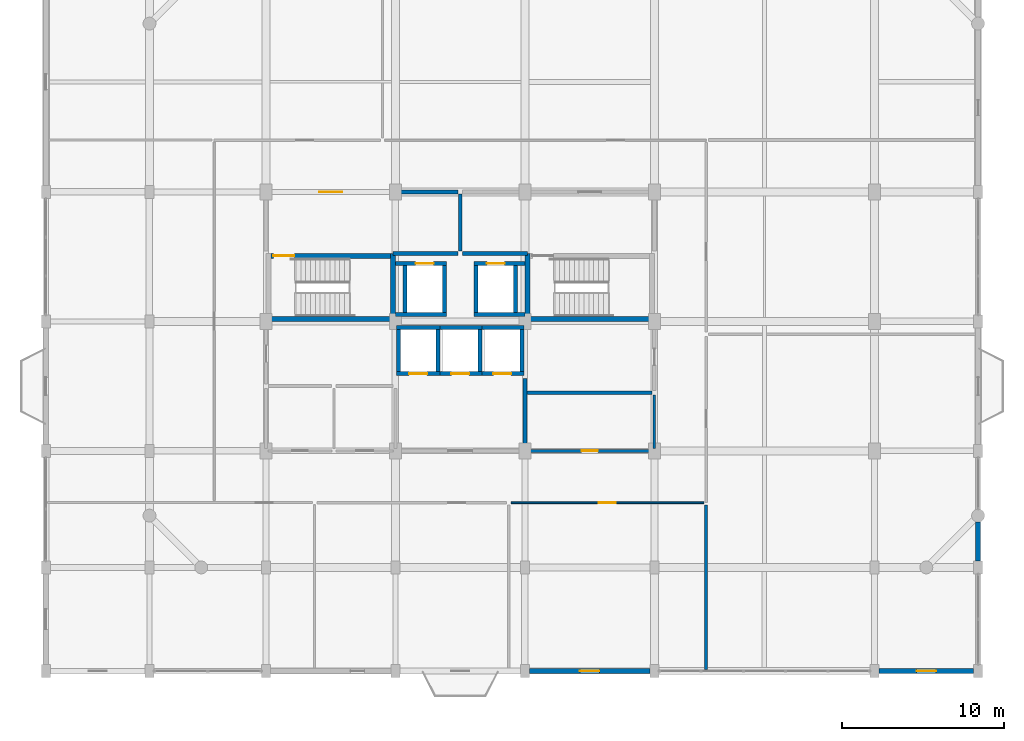
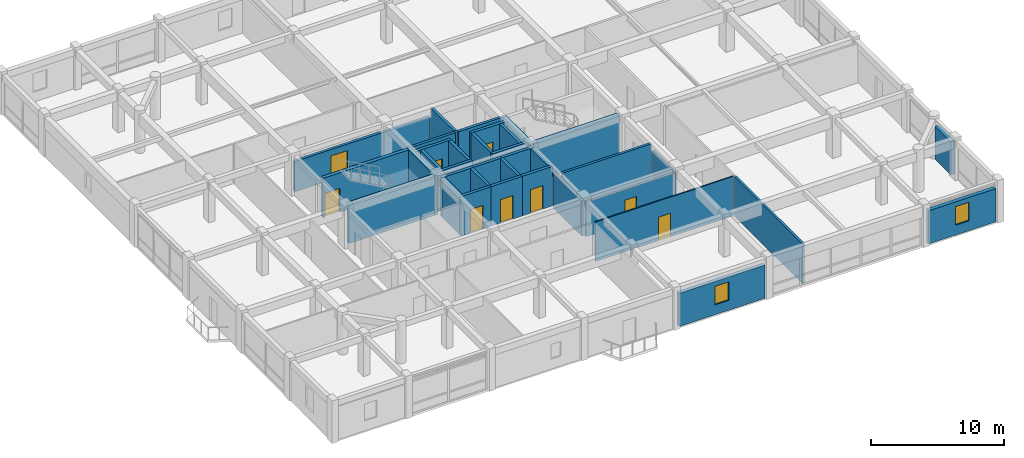
# One storey, part 12 of 15: 36 walls, 9 doors, 2 windows, 11 openings.
"""IFC4 building model written with IfcOpenShell, lengths in metres."""

from ifc_helpers import new_model, si_unit, direction, frame, frame_2d, origin, place, context, subcontext, project, spatial, rectangle, extrude, material, layer, layer_set, type_object, element, fill, save


model = new_model("IFC4")

# Units and contexts
model_context = context("Model", 3, precision=1e-05, world=origin(), true_north=direction((0.0, 1.0)))
body_context = subcontext(model_context, "Body", "Model", "MODEL_VIEW")
ifc_project = project(units=[si_unit("LENGTHUNIT", "METRE"), si_unit("AREAUNIT", "SQUARE_METRE"), si_unit("VOLUMEUNIT", "CUBIC_METRE"), si_unit("PLANEANGLEUNIT", "RADIAN"), si_unit("MASSUNIT", "GRAM", prefix="KILO")], contexts=[model_context])

# Site, building, storey
site_placement = place(None, origin())
site = spatial("IfcSite", under=ifc_project, at=site_placement, CompositionType="ELEMENT")
building_placement = place(site_placement, origin())
building = spatial("IfcBuilding", under=site, at=building_placement, Name="Vellmiral Cinema and Media Centre", CompositionType="ELEMENT")
storey_placement = place(building_placement, frame((0.0, 0.0, 31.699951171875)))
storey = spatial("IfcBuildingStorey", under=building, at=storey_placement, Name="L07", CompositionType="ELEMENT", Elevation=31.699951171875)

# Walls
ifc_material_1 = material(Name="Concrete C40/50", Category="concrete")
ifc_layer_1 = layer(ifc_material_1, 0.2099609375, Name="Concrete C40/50")
ifc_layer_set_1 = layer_set([ifc_layer_1], Name="Concrete C40/50")
wall_type_1 = type_object("IfcWallType", Name="WL-COMP-210", PredefinedType="SOLIDWALL", material=ifc_layer_set_1)
wall_1_placement = place(storey_placement, frame((140.139892578125, 82.800048828125, 0.0), z_axis=(0.0, 0.0, 1.0), x_axis=(1.0, 0.0, 0.0)))
element("IfcWall", 1, at=wall_1_placement, inside=storey, type_object=wall_type_1, Name="Data Patch and Riser Room Wall S", PredefinedType="SOLIDWALL", context=body_context, shape_type="SweptSolid", body=[
    extrude(rectangle(XDim=7.72021484375, YDim=0.2099609375, at=frame_2d((3.860107421875, 0.0))), origin(), (0.0, 0.0, 1.0), 3.6201171875),
])
ifc_material_2 = material(Name="Concrete C40/50", Category="concrete")
ifc_layer_2 = layer(ifc_material_2, 0.300048828125, Name="Concrete C40/50")
ifc_layer_set_2 = layer_set([ifc_layer_2], Name="Concrete C40/50")
wall_type_2 = type_object("IfcWallType", Name="WL-CORE-300", PredefinedType="SHEAR", material=ifc_layer_set_2)
wall_2_placement = place(storey_placement, frame((131.85009765625, 87.199951171875, 0.0), z_axis=(0.0, 0.0, 1.0), x_axis=(0.0, 1.0, 0.0)))
element("IfcWall", 2, at=wall_2_placement, inside=storey, type_object=wall_type_2, Name="Stair Core Wall ST-T1 L07-E", PredefinedType="SHEAR", context=body_context, shape_type="SweptSolid", body=[
    extrude(rectangle(XDim=4.199951171875, YDim=0.300048828125, at=frame_2d((2.10009765625, 0.0))), origin(), (0.0, 0.0, 1.0), 3.6201171875),
])
wall_3_placement = place(storey_placement, frame((124.300048828125, 87.35009765625, 0.0), z_axis=(0.0, 0.0, 1.0), x_axis=(1.0, 0.0, 0.0)))
element("IfcWall", 3, at=wall_3_placement, inside=storey, type_object=wall_type_2, Name="Stair Core Wall ST-T1 L07-S", PredefinedType="SHEAR", context=body_context, shape_type="SweptSolid", body=[
    extrude(rectangle(XDim=7.39990234375, YDim=0.300048828125, at=frame_2d((3.699951171875, 0.0))), origin(), (0.0, 0.0, 1.0), 3.6201171875),
])

# Wall, opening, door
wall_4_placement = place(storey_placement, frame((124.300048828125, 91.25, 0.0), z_axis=(0.0, 0.0, 1.0), x_axis=(1.0, 0.0, 0.0)))
wall_4 = element("IfcWall", 4, at=wall_4_placement, inside=storey, type_object=wall_type_2, Name="Stair Core Wall ST-T1 L07-N", PredefinedType="SHEAR", context=body_context, shape_type="SweptSolid", body=[
    extrude(rectangle(XDim=7.39990234375, YDim=0.300048828125, at=frame_2d((3.699951171875, 0.0))), origin(), (0.0, 0.0, 1.0), 3.6201171875),
])
opening_1_placement = place(wall_4_placement, frame((0.159912109375, 0.0, 0.0)))
opening_1 = element("IfcOpeningElement", 5, at=opening_1_placement, cuts=wall_4, Name="Opening D-FD30A", PredefinedType="OPENING", context=body_context, shape_type="SweptSolid", body=[
    extrude(rectangle(XDim=1.300048828125, YDim=2.179931640625, at=frame_2d((0.64990234375, 1.08984375))), frame((0.0, 0.162109375, 0.0), z_axis=(0.0, -1.0, 0.0), x_axis=(1.0, 0.0, 0.0)), (0.0, 0.0, 1.0), 0.323974609375),
])
ifc_material_3 = material(Name="Steel Stair Fire Door", Category="steel")
door_type_1 = type_object("IfcDoorType", Name="DR-FD30-1300x2180", OperationType="NOTDEFINED", PredefinedType="DOOR", material=ifc_material_3)
door_1_placement = place(opening_1_placement, frame((1.300048828125, 0.0, 0.0), z_axis=(0.0, 0.0, 1.0), x_axis=(-1.0, 0.0, 0.0)))
door_1 = element("IfcDoor", 6, at=door_1_placement, inside=storey, type_object=door_type_1, Name="Protected Stair Door ST-T1 L07", OperationType="SINGLE_SWING_RIGHT", OverallHeight=2.179931640625, OverallWidth=1.300048828125, PredefinedType="DOOR", context=body_context, shape_type="SweptSolid", body=[
    extrude(rectangle(XDim=1.300048828125, YDim=2.179931640625, at=frame_2d((0.64990234375, 1.08984375))), frame((0.0, 0.02490234375, 0.0), z_axis=(0.0, -1.0, 0.0), x_axis=(1.0, 0.0, 0.0)), (0.0, 0.0, 1.0), 0.050048828125),
])
fill(opening_1, door_1)

# Walls
wall_5_placement = place(storey_placement, frame((140.14990234375, 87.199951171875, 0.0), z_axis=(0.0, 0.0, 1.0), x_axis=(0.0, 1.0, 0.0)))
element("IfcWall", 7, at=wall_5_placement, inside=storey, type_object=wall_type_2, Name="Stair Core Wall ST-T2 L07-W", PredefinedType="SHEAR", context=body_context, shape_type="SweptSolid", body=[
    extrude(rectangle(XDim=4.199951171875, YDim=0.300048828125, at=frame_2d((2.10009765625, 0.0))), origin(), (0.0, 0.0, 1.0), 3.6201171875),
])
wall_6_placement = place(storey_placement, frame((140.300048828125, 87.35009765625, 0.0), z_axis=(0.0, 0.0, 1.0), x_axis=(1.0, 0.0, 0.0)))
element("IfcWall", 8, at=wall_6_placement, inside=storey, type_object=wall_type_2, Name="Stair Core Wall ST-T2 L07-S", PredefinedType="SHEAR", context=body_context, shape_type="SweptSolid", body=[
    extrude(rectangle(XDim=7.39990234375, YDim=0.300048828125, at=frame_2d((3.699951171875, 0.0))), origin(), (0.0, 0.0, 1.0), 3.6201171875),
])

# Wall, opening, window
ifc_material_4 = material(Name="Polychrome Glazed Ceramic Cladding", Category="masonry")
ifc_layer_3 = layer(ifc_material_4, 0.320068359375, Name="Polychrome Glazed Ceramic Cladding")
ifc_layer_set_3 = layer_set([ifc_layer_3], Name="Polychrome Glazed Ceramic Cladding")
wall_type_3 = type_object("IfcWallType", Name="WL-EXT-BRICK-320", PredefinedType="SOLIDWALL", material=ifc_layer_set_3)
wall_7_placement = place(storey_placement, frame((140.27490234375, 65.60009765625, 0.0), z_axis=(0.0, 0.0, 1.0), x_axis=(1.0, 0.0, 0.0)))
wall_7 = element("IfcWall", 9, at=wall_7_placement, inside=storey, type_object=wall_type_3, Name="Exterior Facade Wall L07-005", PredefinedType="SOLIDWALL", context=body_context, shape_type="SweptSolid", body=[
    extrude(rectangle(XDim=7.4501953125, YDim=0.320068359375, at=frame_2d((3.72509765625, 0.0))), origin(), (0.0, 0.0, 1.0), 3.0400390625),
])
opening_2_placement = place(wall_7_placement, frame((3.125, 0.0, 0.89990234375)))
opening_2 = element("IfcOpeningElement", 10, at=opening_2_placement, cuts=wall_7, Name="Opening WN-10", PredefinedType="OPENING", context=body_context, shape_type="SweptSolid", body=[
    extrude(rectangle(XDim=1.199951171875, YDim=1.699951171875, at=frame_2d((0.60009765625, 0.85009765625))), frame((0.0, 0.171875, 0.0), z_axis=(0.0, -1.0, 0.0), x_axis=(1.0, 0.0, 0.0)), (0.0, 0.0, 1.0), 0.343994140625),
])
ifc_material_5 = material(Name="Thermally Broken Aluminium Triple Glazing", Category="aluminium")
window_type = type_object("IfcWindowType", Name="WN-1200x1700", PartitioningType="SINGLE_PANEL", PredefinedType="WINDOW", material=ifc_material_5)
window_1_placement = place(opening_2_placement, origin())
window_1 = element("IfcWindow", 11, at=window_1_placement, inside=storey, type_object=window_type, Name="Window L07-005", OverallHeight=1.699951171875, OverallWidth=1.199951171875, PartitioningType="SINGLE_PANEL", PredefinedType="WINDOW", context=body_context, shape_type="SweptSolid", body=[
    extrude(rectangle(XDim=1.199951171875, YDim=1.699951171875, at=frame_2d((0.60009765625, 0.85009765625))), frame((0.0, 0.030029296875, 0.0), z_axis=(0.0, -1.0, 0.0), x_axis=(1.0, 0.0, 0.0)), (0.0, 0.0, 1.0), 0.06005859375),
])
fill(opening_2, window_1)

wall_8_placement = place(storey_placement, frame((161.875, 65.60009765625, 0.0), z_axis=(0.0, 0.0, 1.0), x_axis=(1.0, 0.0, 0.0)))
wall_8 = element("IfcWall", 12, at=wall_8_placement, inside=storey, type_object=wall_type_3, Name="Exterior Facade Wall L07-007", PredefinedType="SOLIDWALL", context=body_context, shape_type="SweptSolid", body=[
    extrude(rectangle(XDim=5.85009765625, YDim=0.320068359375, at=frame_2d((2.925048828125, 0.0))), origin(), (0.0, 0.0, 1.0), 3.0400390625),
])
opening_3_placement = place(wall_8_placement, frame((2.324951171875, 0.0, 0.89990234375)))
opening_3 = element("IfcOpeningElement", 13, at=opening_3_placement, cuts=wall_8, Name="Opening WN-10", PredefinedType="OPENING", context=body_context, shape_type="SweptSolid", body=[
    extrude(rectangle(XDim=1.199951171875, YDim=1.699951171875, at=frame_2d((0.60009765625, 0.85009765625))), frame((0.0, 0.171875, 0.0), z_axis=(0.0, -1.0, 0.0), x_axis=(1.0, 0.0, 0.0)), (0.0, 0.0, 1.0), 0.343994140625),
])
window_2_placement = place(opening_3_placement, origin())
window_2 = element("IfcWindow", 14, at=window_2_placement, inside=storey, type_object=window_type, Name="Window L07-007", OverallHeight=1.699951171875, OverallWidth=1.199951171875, PartitioningType="SINGLE_PANEL", PredefinedType="WINDOW", context=body_context, shape_type="SweptSolid", body=[
    extrude(rectangle(XDim=1.199951171875, YDim=1.699951171875, at=frame_2d((0.60009765625, 0.85009765625))), frame((0.0, 0.030029296875, 0.0), z_axis=(0.0, -1.0, 0.0), x_axis=(1.0, 0.0, 0.0)), (0.0, 0.0, 1.0), 0.06005859375),
])
fill(opening_3, window_2)

# Walls
wall_9_placement = place(storey_placement, frame((168.0, 72.39990234375, 0.0), z_axis=(0.0, 0.0, 1.0), x_axis=(0.0, 1.0, 0.0)))
element("IfcWall", 15, at=wall_9_placement, inside=storey, type_object=wall_type_3, Name="Exterior Facade Wall L07-009", PredefinedType="SOLIDWALL", context=body_context, shape_type="SweptSolid", body=[
    extrude(rectangle(XDim=2.400146484375, YDim=0.320068359375, at=frame_2d((1.2001953125, 0.0))), origin(), (0.0, 0.0, 1.0), 3.0400390625),
])
ifc_material_6 = material(Name="Concrete C40/50", Category="concrete")
ifc_layer_4 = layer(ifc_material_6, 0.22998046875, Name="Concrete C40/50")
ifc_layer_set_4 = layer_set([ifc_layer_4], Name="Concrete C40/50")
wall_type_4 = type_object("IfcWallType", Name="WL-FFL-230", PredefinedType="SOLIDWALL", material=ifc_layer_set_4)
wall_10_placement = place(storey_placement, frame((131.840087890625, 91.39990234375, 0.0), z_axis=(0.0, 0.0, 1.0), x_axis=(1.0, 0.0, 0.0)))
element("IfcWall", 16, at=wall_10_placement, inside=storey, type_object=wall_type_4, Name="Firefighting Lobby West Wall S", PredefinedType="SOLIDWALL", context=body_context, shape_type="SweptSolid", body=[
    extrude(rectangle(XDim=4.02001953125, YDim=0.22998046875, at=frame_2d((2.010009765625, 0.0))), origin(), (0.0, 0.0, 1.0), 3.6201171875),
])

# Wall, opening, door
wall_11_placement = place(storey_placement, frame((124.139892578125, 95.199951171875, 0.0), z_axis=(0.0, 0.0, 1.0), x_axis=(1.0, 0.0, 0.0)))
wall_11 = element("IfcWall", 17, at=wall_11_placement, inside=storey, type_object=wall_type_4, Name="Firefighting Lobby West Wall N", PredefinedType="SOLIDWALL", context=body_context, shape_type="SweptSolid", body=[
    extrude(rectangle(XDim=11.72021484375, YDim=0.22998046875, at=frame_2d((5.860107421875, 0.0))), origin(), (0.0, 0.0, 1.0), 2.78515625),
])
opening_4_placement = place(wall_11_placement, frame((3.159912109375, 0.0, 0.0)))
opening_4 = element("IfcOpeningElement", 18, at=opening_4_placement, cuts=wall_11, Name="Opening D-FD60B", PredefinedType="OPENING", context=body_context, shape_type="SweptSolid", body=[
    extrude(rectangle(XDim=1.39990234375, YDim=2.199951171875, at=frame_2d((0.699951171875, 1.10009765625))), frame((0.0, 0.126953125, 0.0), z_axis=(0.0, -1.0, 0.0), x_axis=(1.0, 0.0, 0.0)), (0.0, 0.0, 1.0), 0.25390625),
])
ifc_material_7 = material(Name="Steel Fire Door", Category="steel")
door_type_2 = type_object("IfcDoorType", Name="DR-FD60-1400x2200", OperationType="NOTDEFINED", PredefinedType="DOOR", material=ifc_material_7)
door_2_placement = place(opening_4_placement, frame((1.39990234375, 0.0, 0.0), z_axis=(0.0, 0.0, 1.0), x_axis=(-1.0, 0.0, 0.0)))
door_2 = element("IfcDoor", 19, at=door_2_placement, inside=storey, type_object=door_type_2, Name="Firefighting Lobby West Door", OperationType="SINGLE_SWING_RIGHT", OverallHeight=2.199951171875, OverallWidth=1.39990234375, PredefinedType="DOOR", context=body_context, shape_type="SweptSolid", body=[
    extrude(rectangle(XDim=1.39990234375, YDim=2.199951171875, at=frame_2d((0.699951171875, 1.10009765625))), frame((0.0, 0.02490234375, 0.0), z_axis=(0.0, -1.0, 0.0), x_axis=(1.0, 0.0, 0.0)), (0.0, 0.0, 1.0), 0.050048828125),
])
fill(opening_4, door_2)

# Walls
wall_12_placement = place(storey_placement, frame((136.0, 91.5400390625, 0.0), z_axis=(0.0, 0.0, 1.0), x_axis=(0.0, 1.0, 0.0)))
element("IfcWall", 20, at=wall_12_placement, inside=storey, type_object=wall_type_4, Name="Firefighting Lobby West Wall E", PredefinedType="SOLIDWALL", context=body_context, shape_type="SweptSolid", body=[
    extrude(rectangle(XDim=3.52001953125, YDim=0.22998046875, at=frame_2d((1.760009765625, 0.0))), origin(), (0.0, 0.0, 1.0), 3.6201171875),
])
wall_13_placement = place(storey_placement, frame((136.139892578125, 91.39990234375, 0.0), z_axis=(0.0, 0.0, 1.0), x_axis=(1.0, 0.0, 0.0)))
element("IfcWall", 21, at=wall_13_placement, inside=storey, type_object=wall_type_4, Name="Firefighting Lobby East Wall S", PredefinedType="SOLIDWALL", context=body_context, shape_type="SweptSolid", body=[
    extrude(rectangle(XDim=4.02001953125, YDim=0.22998046875, at=frame_2d((2.010009765625, 0.0))), origin(), (0.0, 0.0, 1.0), 3.6201171875),
])
wall_14_placement = place(storey_placement, frame((140.0, 79.340087890625, 0.0), z_axis=(0.0, 0.0, 1.0), x_axis=(0.0, 1.0, 0.0)))
element("IfcWall", 22, at=wall_14_placement, inside=storey, type_object=wall_type_4, Name="Tower Passenger Lift Lobby Wall E", PredefinedType="SOLIDWALL", context=body_context, shape_type="SweptSolid", body=[
    extrude(rectangle(XDim=4.31982421875, YDim=0.22998046875, at=frame_2d((2.159912109375, 0.0))), origin(), (0.0, 0.0, 1.0), 3.18505859375),
])

# Wall, opening, door
ifc_material_8 = material(Name="Gypsum Plasterboard")
ifc_layer_5 = layer(ifc_material_8, 0.02490234375, Name="Gypsum Plasterboard", Category="gypsum")
ifc_material_9 = material(Name="Mineral Wool Acoustic Insulation", Category="insulation")
ifc_layer_6 = layer(ifc_material_9, 0.06005859375, Name="Mineral Wool Acoustic Insulation", Category="insulation")
ifc_layer_7 = layer(ifc_material_8, 0.02490234375, Name="Gypsum Plasterboard", Category="gypsum")
ifc_layer_set_5 = layer_set([ifc_layer_5, ifc_layer_6, ifc_layer_7], Name="Gypsum Plasterboard")
wall_type_5 = type_object("IfcWallType", Name="WL-PART-110", PredefinedType="PARTITIONING", material=ifc_layer_set_5)
wall_15_placement = place(storey_placement, frame((139.139892578125, 76.0, 0.0), z_axis=(0.0, 0.0, 1.0), x_axis=(1.0, 0.0, 0.0)))
wall_15 = element("IfcWall", 23, at=wall_15_placement, inside=storey, type_object=wall_type_5, Name="VFX Review Boardroom Wall N", PredefinedType="PARTITIONING", context=body_context, shape_type="SweptSolid", body=[
    extrude(rectangle(XDim=11.920166015625, YDim=0.110107421875, at=frame_2d((5.9599609375, 0.0))), origin(), (0.0, 0.0, 1.0), 3.6201171875),
])
opening_5_placement = place(wall_15_placement, frame((5.43505859375, 0.0, 0.0)))
opening_5 = element("IfcOpeningElement", 24, at=opening_5_placement, cuts=wall_15, Name="Opening D-I07", PredefinedType="OPENING", context=body_context, shape_type="SweptSolid", body=[
    extrude(rectangle(XDim=1.050048828125, YDim=2.14990234375, at=frame_2d((0.52490234375, 1.074951171875))), frame((0.0, 0.06689453125, 0.0), z_axis=(0.0, -1.0, 0.0), x_axis=(1.0, 0.0, 0.0)), (0.0, 0.0, 1.0), 0.134033203125),
])
ifc_material_10 = material(Name="Laminated Timber Door", Category="wood")
door_type_3 = type_object("IfcDoorType", Name="DR-INT-1050x2150", OperationType="NOTDEFINED", PredefinedType="DOOR", material=ifc_material_10)
door_3_placement = place(opening_5_placement, frame((1.050048828125, 0.0, 0.0), z_axis=(0.0, 0.0, 1.0), x_axis=(-1.0, 0.0, 0.0)))
door_3 = element("IfcDoor", 25, at=door_3_placement, inside=storey, type_object=door_type_3, Name="VFX Review Boardroom Door", OperationType="SINGLE_SWING_LEFT", OverallHeight=2.14990234375, OverallWidth=1.050048828125, PredefinedType="DOOR", context=body_context, shape_type="SweptSolid", body=[
    extrude(rectangle(XDim=1.050048828125, YDim=2.14990234375, at=frame_2d((0.52490234375, 1.074951171875))), frame((0.0, 0.02490234375, 0.0), z_axis=(0.0, -1.0, 0.0), x_axis=(1.0, 0.0, 0.0)), (0.0, 0.0, 1.0), 0.050048828125),
])
fill(opening_5, door_3)

# Wall
ifc_material_11 = material(Name="Gypsum Plasterboard")
ifc_layer_8 = layer(ifc_material_11, 0.02490234375, Name="Gypsum Plasterboard", Category="gypsum")
ifc_material_12 = material(Name="Mineral Wool Acoustic Insulation", Category="insulation")
ifc_layer_9 = layer(ifc_material_12, 0.10009765625, Name="Mineral Wool Acoustic Insulation", Category="insulation")
ifc_layer_10 = layer(ifc_material_11, 0.02490234375, Name="Gypsum Plasterboard", Category="gypsum")
ifc_layer_set_6 = layer_set([ifc_layer_8, ifc_layer_9, ifc_layer_10], Name="Gypsum Plasterboard")
wall_type_6 = type_object("IfcWallType", Name="WL-PART-150", PredefinedType="PARTITIONING", material=ifc_layer_set_6)
wall_16_placement = place(storey_placement, frame((148.0, 79.340087890625, 0.0), z_axis=(0.0, 0.0, 1.0), x_axis=(0.0, 1.0, 0.0)))
element("IfcWall", 26, at=wall_16_placement, inside=storey, type_object=wall_type_6, Name="Print and Archive Copy Room Wall E", PredefinedType="PARTITIONING", context=body_context, shape_type="SweptSolid", body=[
    extrude(rectangle(XDim=3.31982421875, YDim=0.14990234375, at=frame_2d((1.659912109375, 0.0))), origin(), (0.0, 0.0, 1.0), 3.03515625),
])

# Wall, opening, door
ifc_material_13 = material(Name="Gypsum Plasterboard")
ifc_layer_11 = layer(ifc_material_13, 0.02490234375, Name="Gypsum Plasterboard", Category="gypsum")
ifc_material_14 = material(Name="Mineral Wool Acoustic Insulation", Category="insulation")
ifc_layer_12 = layer(ifc_material_14, 0.1201171875, Name="Mineral Wool Acoustic Insulation", Category="insulation")
ifc_layer_13 = layer(ifc_material_13, 0.02490234375, Name="Gypsum Plasterboard", Category="gypsum")
ifc_layer_set_7 = layer_set([ifc_layer_11, ifc_layer_12, ifc_layer_13], Name="Gypsum Plasterboard")
wall_type_7 = type_object("IfcWallType", Name="WL-PART-170", PredefinedType="PARTITIONING", material=ifc_layer_set_7)
wall_17_placement = place(storey_placement, frame((140.139892578125, 79.199951171875, 0.0), z_axis=(0.0, 0.0, 1.0), x_axis=(1.0, 0.0, 0.0)))
wall_17 = element("IfcWall", 27, at=wall_17_placement, inside=storey, type_object=wall_type_7, Name="Print and Archive Copy Room Wall S", PredefinedType="PARTITIONING", context=body_context, shape_type="SweptSolid", body=[
    extrude(rectangle(XDim=7.72021484375, YDim=0.169921875, at=frame_2d((3.860107421875, 0.0))), origin(), (0.0, 0.0, 1.0), 3.135009765625),
])
opening_6_placement = place(wall_17_placement, frame((3.360107421875, 0.0, 0.0)))
opening_6 = element("IfcOpeningElement", 28, at=opening_6_placement, cuts=wall_17, Name="Opening D-I08", PredefinedType="OPENING", context=body_context, shape_type="SweptSolid", body=[
    extrude(rectangle(XDim=1.0, YDim=2.14990234375, at=frame_2d((0.5, 1.074951171875))), frame((0.0, 0.096923828125, 0.0), z_axis=(0.0, -1.0, 0.0), x_axis=(1.0, 0.0, 0.0)), (0.0, 0.0, 1.0), 0.19384765625),
])
ifc_material_15 = material(Name="Laminated Timber Door", Category="wood")
door_type_4 = type_object("IfcDoorType", Name="DR-INT-1000x2150", OperationType="NOTDEFINED", PredefinedType="DOOR", material=ifc_material_15)
door_4_placement = place(opening_6_placement, origin())
door_4 = element("IfcDoor", 29, at=door_4_placement, inside=storey, type_object=door_type_4, Name="Print and Archive Copy Room Door", OperationType="SINGLE_SWING_RIGHT", OverallHeight=2.14990234375, OverallWidth=1.0, PredefinedType="DOOR", context=body_context, shape_type="SweptSolid", body=[
    extrude(rectangle(XDim=1.0, YDim=2.14990234375, at=frame_2d((0.5, 1.074951171875))), frame((0.0, 0.02490234375, 0.0), z_axis=(0.0, -1.0, 0.0), x_axis=(1.0, 0.0, 0.0)), (0.0, 0.0, 1.0), 0.050048828125),
])
fill(opening_6, door_4)

# Walls
ifc_material_16 = material(Name="Gypsum Plasterboard")
ifc_layer_14 = layer(ifc_material_16, 0.02490234375, Name="Gypsum Plasterboard", Category="gypsum")
ifc_material_17 = material(Name="Mineral Wool Acoustic Insulation", Category="insulation")
ifc_layer_15 = layer(ifc_material_17, 0.139892578125, Name="Mineral Wool Acoustic Insulation", Category="insulation")
ifc_layer_16 = layer(ifc_material_16, 0.02490234375, Name="Gypsum Plasterboard", Category="gypsum")
ifc_layer_set_8 = layer_set([ifc_layer_14, ifc_layer_15, ifc_layer_16], Name="Gypsum Plasterboard")
wall_type_8 = type_object("IfcWallType", Name="WL-PART-190", PredefinedType="PARTITIONING", material=ifc_layer_set_8)
wall_18_placement = place(storey_placement, frame((151.199951171875, 65.695068359375, 0.0), z_axis=(0.0, 0.0, 1.0), x_axis=(0.0, 1.0, 0.0)))
element("IfcWall", 30, at=wall_18_placement, inside=storey, type_object=wall_type_8, Name="VFX Review Boardroom Wall E", PredefinedType="PARTITIONING", context=body_context, shape_type="SweptSolid", body=[
    extrude(rectangle(XDim=10.1650390625, YDim=0.18994140625, at=frame_2d((5.08251953125, 0.0))), origin(), (0.0, 0.0, 1.0), 3.6201171875),
])
ifc_material_18 = material(Name="Concrete C40/50", Category="concrete")
ifc_layer_17 = layer(ifc_material_18, 0.25, Name="Concrete C40/50")
ifc_layer_set_9 = layer_set([ifc_layer_17], Name="Concrete C40/50")
wall_type_9 = type_object("IfcWallType", Name="WL-SHAFT-250", PredefinedType="SHEAR", material=ifc_layer_set_9)
wall_19_placement = place(storey_placement, frame((132.0, 87.625, 0.0), z_axis=(0.0, 0.0, 1.0), x_axis=(1.0, 0.0, 0.0)))
element("IfcWall", 31, at=wall_19_placement, inside=storey, type_object=wall_type_9, Name="Lift Shaft Wall LF-FF1 L07-S", PredefinedType="SHEAR", context=body_context, shape_type="SweptSolid", body=[
    extrude(rectangle(XDim=3.14990234375, YDim=0.25, at=frame_2d((1.574951171875, 0.0))), origin(), (0.0, 0.0, 1.0), 3.6201171875),
])

# Wall, opening, door
wall_20_placement = place(storey_placement, frame((132.0, 90.77490234375, 0.0), z_axis=(0.0, 0.0, 1.0), x_axis=(1.0, 0.0, 0.0)))
wall_20 = element("IfcWall", 32, at=wall_20_placement, inside=storey, type_object=wall_type_9, Name="Lift Shaft Wall LF-FF1 L07-N", PredefinedType="SHEAR", context=body_context, shape_type="SweptSolid", body=[
    extrude(rectangle(XDim=3.14990234375, YDim=0.25, at=frame_2d((1.574951171875, 0.0))), origin(), (0.0, 0.0, 1.0), 3.6201171875),
])
opening_7_placement = place(wall_20_placement, frame((1.25, 0.0, 0.0)))
opening_7 = element("IfcOpeningElement", 33, at=opening_7_placement, cuts=wall_20, Name="Opening LD-01", PredefinedType="OPENING", context=body_context, shape_type="SweptSolid", body=[
    extrude(rectangle(XDim=1.10009765625, YDim=2.14990234375, at=frame_2d((0.550048828125, 1.074951171875))), frame((0.0, 0.136962890625, 0.0), z_axis=(0.0, -1.0, 0.0), x_axis=(1.0, 0.0, 0.0)), (0.0, 0.0, 1.0), 0.27392578125),
])
ifc_material_19 = material(Name="Stainless Steel Lift Landing Door", Category="steel")
door_type_5 = type_object("IfcDoorType", Name="DR-LIFT-1100x2150", OperationType="SLIDING_TO_LEFT", PredefinedType="DOOR", material=ifc_material_19)
door_5_placement = place(opening_7_placement, origin())
door_5 = element("IfcDoor", 34, at=door_5_placement, inside=storey, type_object=door_type_5, Name="Lift Landing Door LF-FF1 L07", OperationType="SLIDING_TO_LEFT", OverallHeight=2.14990234375, OverallWidth=1.10009765625, PredefinedType="DOOR", context=body_context, shape_type="SweptSolid", body=[
    extrude(rectangle(XDim=1.10009765625, YDim=2.14990234375, at=frame_2d((0.550048828125, 1.074951171875))), frame((0.0, 0.02490234375, 0.0), z_axis=(0.0, -1.0, 0.0), x_axis=(1.0, 0.0, 0.0)), (0.0, 0.0, 1.0), 0.050048828125),
])
fill(opening_7, door_5)

# Walls
for number, where, z_axis, x_axis, name in (
    (35, (132.574951171875, 87.75, 0.0), (0.0, 0.0, 1.0), (0.0, 1.0, 0.0), "Lift Shaft Wall LF-FF1 L07-W"),
    (36, (135.02490234375, 87.75, 0.0), (0.0, 0.0, 1.0), (0.0, 1.0, 0.0), "Lift Shaft Wall LF-FF1 L07-E"),
):
    element("IfcWall", number, at=place(storey_placement, frame(where, z_axis=z_axis, x_axis=x_axis)), inside=storey, type_object=wall_type_9, Name=name, PredefinedType="SHEAR", context=body_context, shape_type="SweptSolid", body=[
        extrude(rectangle(XDim=2.89990234375, YDim=0.25, at=frame_2d((1.449951171875, 0.0))), origin(), (0.0, 0.0, 1.0), 3.6201171875),
    ])
wall_21_placement = place(storey_placement, frame((136.85009765625, 87.625, 0.0), z_axis=(0.0, 0.0, 1.0), x_axis=(1.0, 0.0, 0.0)))
element("IfcWall", 37, at=wall_21_placement, inside=storey, type_object=wall_type_9, Name="Lift Shaft Wall LF-FF2 L07-S", PredefinedType="SHEAR", context=body_context, shape_type="SweptSolid", body=[
    extrude(rectangle(XDim=3.14990234375, YDim=0.25, at=frame_2d((1.574951171875, 0.0))), origin(), (0.0, 0.0, 1.0), 3.6201171875),
])

# Wall, opening, door
wall_22_placement = place(storey_placement, frame((136.85009765625, 90.77490234375, 0.0), z_axis=(0.0, 0.0, 1.0), x_axis=(1.0, 0.0, 0.0)))
wall_22 = element("IfcWall", 38, at=wall_22_placement, inside=storey, type_object=wall_type_9, Name="Lift Shaft Wall LF-FF2 L07-N", PredefinedType="SHEAR", context=body_context, shape_type="SweptSolid", body=[
    extrude(rectangle(XDim=3.14990234375, YDim=0.25, at=frame_2d((1.574951171875, 0.0))), origin(), (0.0, 0.0, 1.0), 3.6201171875),
])
opening_8_placement = place(wall_22_placement, frame((0.800048828125, 0.0, 0.0)))
opening_8 = element("IfcOpeningElement", 39, at=opening_8_placement, cuts=wall_22, Name="Opening LD-01", PredefinedType="OPENING", context=body_context, shape_type="SweptSolid", body=[
    extrude(rectangle(XDim=1.10009765625, YDim=2.14990234375, at=frame_2d((0.550048828125, 1.074951171875))), frame((0.0, 0.136962890625, 0.0), z_axis=(0.0, -1.0, 0.0), x_axis=(1.0, 0.0, 0.0)), (0.0, 0.0, 1.0), 0.27392578125),
])
door_6_placement = place(opening_8_placement, origin())
door_6 = element("IfcDoor", 40, at=door_6_placement, inside=storey, type_object=door_type_5, Name="Lift Landing Door LF-FF2 L07", OperationType="SLIDING_TO_LEFT", OverallHeight=2.14990234375, OverallWidth=1.10009765625, PredefinedType="DOOR", context=body_context, shape_type="SweptSolid", body=[
    extrude(rectangle(XDim=1.10009765625, YDim=2.14990234375, at=frame_2d((0.550048828125, 1.074951171875))), frame((0.0, 0.02490234375, 0.0), z_axis=(0.0, -1.0, 0.0), x_axis=(1.0, 0.0, 0.0)), (0.0, 0.0, 1.0), 0.050048828125),
])
fill(opening_8, door_6)

# Walls
for number, where, z_axis, x_axis, name in (
    (41, (136.97509765625, 87.75, 0.0), (0.0, 0.0, 1.0), (0.0, 1.0, 0.0), "Lift Shaft Wall LF-FF2 L07-W"),
    (42, (139.425048828125, 87.75, 0.0), (0.0, 0.0, 1.0), (0.0, 1.0, 0.0), "Lift Shaft Wall LF-FF2 L07-E"),
):
    element("IfcWall", number, at=place(storey_placement, frame(where, z_axis=z_axis, x_axis=x_axis)), inside=storey, type_object=wall_type_9, Name=name, PredefinedType="SHEAR", context=body_context, shape_type="SweptSolid", body=[
        extrude(rectangle(XDim=2.89990234375, YDim=0.25, at=frame_2d((1.449951171875, 0.0))), origin(), (0.0, 0.0, 1.0), 3.6201171875),
    ])

# Wall, opening, door
wall_23_placement = place(storey_placement, frame((132.050048828125, 83.97509765625, 0.0), z_axis=(0.0, 0.0, 1.0), x_axis=(1.0, 0.0, 0.0)))
wall_23 = element("IfcWall", 43, at=wall_23_placement, inside=storey, type_object=wall_type_9, Name="Lift Shaft Wall LF-P1 L07-S", PredefinedType="SHEAR", context=body_context, shape_type="SweptSolid", body=[
    extrude(rectangle(XDim=2.699951171875, YDim=0.25, at=frame_2d((1.35009765625, 0.0))), origin(), (0.0, 0.0, 1.0), 3.6201171875),
])
opening_9_placement = place(wall_23_placement, frame((0.800048828125, 0.0, 0.0)))
opening_9 = element("IfcOpeningElement", 44, at=opening_9_placement, cuts=wall_23, Name="Opening LD-01", PredefinedType="OPENING", context=body_context, shape_type="SweptSolid", body=[
    extrude(rectangle(XDim=1.10009765625, YDim=2.14990234375, at=frame_2d((0.550048828125, 1.074951171875))), frame((0.0, 0.136962890625, 0.0), z_axis=(0.0, -1.0, 0.0), x_axis=(1.0, 0.0, 0.0)), (0.0, 0.0, 1.0), 0.27392578125),
])
door_7_placement = place(opening_9_placement, origin())
door_7 = element("IfcDoor", 45, at=door_7_placement, inside=storey, type_object=door_type_5, Name="Lift Landing Door LF-P1 L07", OperationType="SLIDING_TO_LEFT", OverallHeight=2.14990234375, OverallWidth=1.10009765625, PredefinedType="DOOR", context=body_context, shape_type="SweptSolid", body=[
    extrude(rectangle(XDim=1.10009765625, YDim=2.14990234375, at=frame_2d((0.550048828125, 1.074951171875))), frame((0.0, 0.02490234375, 0.0), z_axis=(0.0, -1.0, 0.0), x_axis=(1.0, 0.0, 0.0)), (0.0, 0.0, 1.0), 0.050048828125),
])
fill(opening_9, door_7)

# Walls
wall_24_placement = place(storey_placement, frame((132.050048828125, 86.824951171875, 0.0), z_axis=(0.0, 0.0, 1.0), x_axis=(1.0, 0.0, 0.0)))
element("IfcWall", 46, at=wall_24_placement, inside=storey, type_object=wall_type_9, Name="Lift Shaft Wall LF-P1 L07-N", PredefinedType="SHEAR", context=body_context, shape_type="SweptSolid", body=[
    extrude(rectangle(XDim=2.699951171875, YDim=0.25, at=frame_2d((1.35009765625, 0.0))), origin(), (0.0, 0.0, 1.0), 3.6201171875),
])
for number, where, z_axis, x_axis, name in (
    (47, (132.175048828125, 84.10009765625, 0.0), (0.0, 0.0, 1.0), (0.0, 1.0, 0.0), "Lift Shaft Wall LF-P1 L07-W"),
    (48, (134.625, 84.10009765625, 0.0), (0.0, 0.0, 1.0), (0.0, 1.0, 0.0), "Lift Shaft Wall LF-P1 L07-E"),
):
    element("IfcWall", number, at=place(storey_placement, frame(where, z_axis=z_axis, x_axis=x_axis)), inside=storey, type_object=wall_type_9, Name=name, PredefinedType="SHEAR", context=body_context, shape_type="SweptSolid", body=[
        extrude(rectangle(XDim=2.599853515625, YDim=0.25, at=frame_2d((1.2998046875, 0.0))), origin(), (0.0, 0.0, 1.0), 3.6201171875),
    ])

# Wall, opening, door
wall_25_placement = place(storey_placement, frame((134.64990234375, 83.97509765625, 0.0), z_axis=(0.0, 0.0, 1.0), x_axis=(1.0, 0.0, 0.0)))
wall_25 = element("IfcWall", 49, at=wall_25_placement, inside=storey, type_object=wall_type_9, Name="Lift Shaft Wall LF-P2 L07-S", PredefinedType="SHEAR", context=body_context, shape_type="SweptSolid", body=[
    extrude(rectangle(XDim=2.7001953125, YDim=0.25, at=frame_2d((1.35009765625, 0.0))), origin(), (0.0, 0.0, 1.0), 3.6201171875),
])
opening_10_placement = place(wall_25_placement, frame((0.800048828125, 0.0, 0.0)))
opening_10 = element("IfcOpeningElement", 50, at=opening_10_placement, cuts=wall_25, Name="Opening LD-01", PredefinedType="OPENING", context=body_context, shape_type="SweptSolid", body=[
    extrude(rectangle(XDim=1.10009765625, YDim=2.14990234375, at=frame_2d((0.550048828125, 1.074951171875))), frame((0.0, 0.136962890625, 0.0), z_axis=(0.0, -1.0, 0.0), x_axis=(1.0, 0.0, 0.0)), (0.0, 0.0, 1.0), 0.27392578125),
])
door_8_placement = place(opening_10_placement, origin())
door_8 = element("IfcDoor", 51, at=door_8_placement, inside=storey, type_object=door_type_5, Name="Lift Landing Door LF-P2 L07", OperationType="SLIDING_TO_LEFT", OverallHeight=2.14990234375, OverallWidth=1.10009765625, PredefinedType="DOOR", context=body_context, shape_type="SweptSolid", body=[
    extrude(rectangle(XDim=1.10009765625, YDim=2.14990234375, at=frame_2d((0.550048828125, 1.074951171875))), frame((0.0, 0.02490234375, 0.0), z_axis=(0.0, -1.0, 0.0), x_axis=(1.0, 0.0, 0.0)), (0.0, 0.0, 1.0), 0.050048828125),
])
fill(opening_10, door_8)

# Walls
wall_26_placement = place(storey_placement, frame((134.64990234375, 86.824951171875, 0.0), z_axis=(0.0, 0.0, 1.0), x_axis=(1.0, 0.0, 0.0)))
element("IfcWall", 52, at=wall_26_placement, inside=storey, type_object=wall_type_9, Name="Lift Shaft Wall LF-P2 L07-N", PredefinedType="SHEAR", context=body_context, shape_type="SweptSolid", body=[
    extrude(rectangle(XDim=2.7001953125, YDim=0.25, at=frame_2d((1.35009765625, 0.0))), origin(), (0.0, 0.0, 1.0), 3.6201171875),
])
wall_27_placement = place(storey_placement, frame((137.22509765625, 84.10009765625, 0.0), z_axis=(0.0, 0.0, 1.0), x_axis=(0.0, 1.0, 0.0)))
element("IfcWall", 53, at=wall_27_placement, inside=storey, type_object=wall_type_9, Name="Lift Shaft Wall LF-P2 L07-E", PredefinedType="SHEAR", context=body_context, shape_type="SweptSolid", body=[
    extrude(rectangle(XDim=2.599853515625, YDim=0.25, at=frame_2d((1.2998046875, 0.0))), origin(), (0.0, 0.0, 1.0), 3.6201171875),
])

# Wall, opening, door
wall_28_placement = place(storey_placement, frame((137.25, 83.97509765625, 0.0), z_axis=(0.0, 0.0, 1.0), x_axis=(1.0, 0.0, 0.0)))
wall_28 = element("IfcWall", 54, at=wall_28_placement, inside=storey, type_object=wall_type_9, Name="Lift Shaft Wall LF-P3 L07-S", PredefinedType="SHEAR", context=body_context, shape_type="SweptSolid", body=[
    extrude(rectangle(XDim=2.699951171875, YDim=0.25, at=frame_2d((1.35009765625, 0.0))), origin(), (0.0, 0.0, 1.0), 3.6201171875),
])
opening_11_placement = place(wall_28_placement, frame((0.800048828125, 0.0, 0.0)))
opening_11 = element("IfcOpeningElement", 55, at=opening_11_placement, cuts=wall_28, Name="Opening LD-01", PredefinedType="OPENING", context=body_context, shape_type="SweptSolid", body=[
    extrude(rectangle(XDim=1.10009765625, YDim=2.14990234375, at=frame_2d((0.550048828125, 1.074951171875))), frame((0.0, 0.136962890625, 0.0), z_axis=(0.0, -1.0, 0.0), x_axis=(1.0, 0.0, 0.0)), (0.0, 0.0, 1.0), 0.27392578125),
])
door_9_placement = place(opening_11_placement, origin())
door_9 = element("IfcDoor", 56, at=door_9_placement, inside=storey, type_object=door_type_5, Name="Lift Landing Door LF-P3 L07", OperationType="SLIDING_TO_LEFT", OverallHeight=2.14990234375, OverallWidth=1.10009765625, PredefinedType="DOOR", context=body_context, shape_type="SweptSolid", body=[
    extrude(rectangle(XDim=1.10009765625, YDim=2.14990234375, at=frame_2d((0.550048828125, 1.074951171875))), frame((0.0, 0.02490234375, 0.0), z_axis=(0.0, -1.0, 0.0), x_axis=(1.0, 0.0, 0.0)), (0.0, 0.0, 1.0), 0.050048828125),
])
fill(opening_11, door_9)

# Walls
wall_29_placement = place(storey_placement, frame((137.25, 86.824951171875, 0.0), z_axis=(0.0, 0.0, 1.0), x_axis=(1.0, 0.0, 0.0)))
element("IfcWall", 57, at=wall_29_placement, inside=storey, type_object=wall_type_9, Name="Lift Shaft Wall LF-P3 L07-N", PredefinedType="SHEAR", context=body_context, shape_type="SweptSolid", body=[
    extrude(rectangle(XDim=2.699951171875, YDim=0.25, at=frame_2d((1.35009765625, 0.0))), origin(), (0.0, 0.0, 1.0), 3.6201171875),
])
wall_30_placement = place(storey_placement, frame((139.824951171875, 84.10009765625, 0.0), z_axis=(0.0, 0.0, 1.0), x_axis=(0.0, 1.0, 0.0)))
element("IfcWall", 58, at=wall_30_placement, inside=storey, type_object=wall_type_9, Name="Lift Shaft Wall LF-P3 L07-E", PredefinedType="SHEAR", context=body_context, shape_type="SweptSolid", body=[
    extrude(rectangle(XDim=2.599853515625, YDim=0.25, at=frame_2d((1.2998046875, 0.0))), origin(), (0.0, 0.0, 1.0), 3.6201171875),
])

save(model, "model.ifc")
